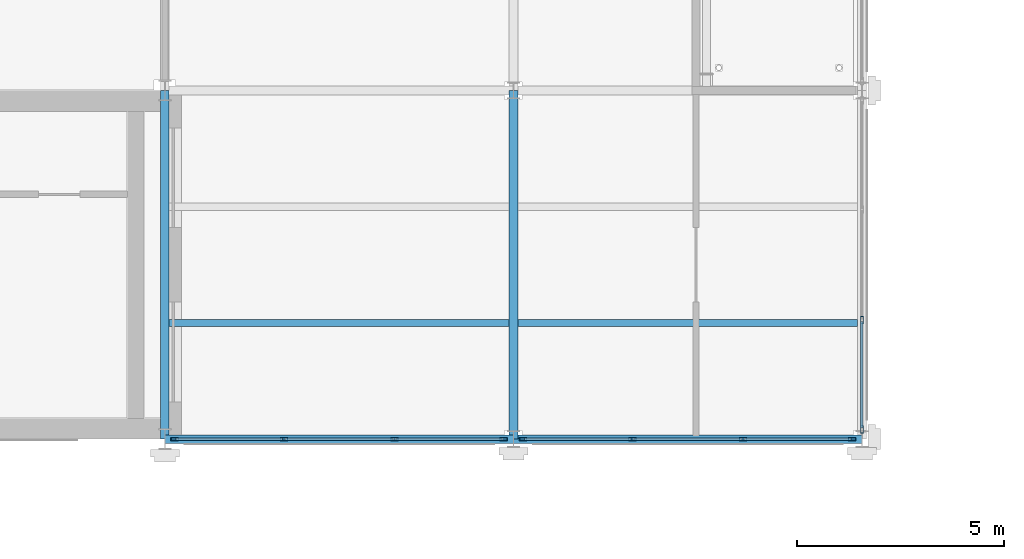
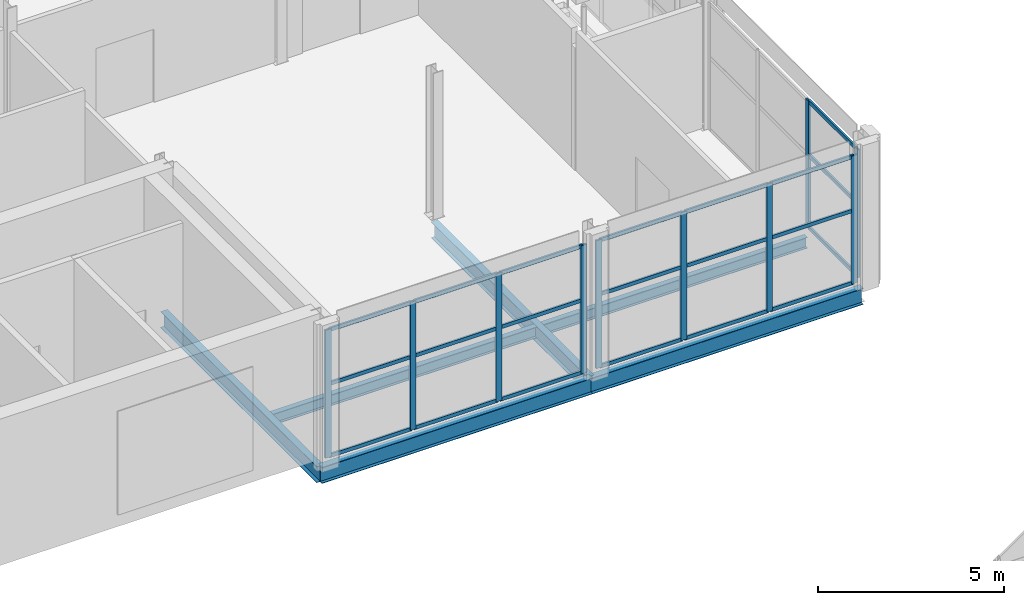
# One storey, part 120 of 167: 31 members, 6 beams, 3 elements without a shape of their own.
"""IFC4 building model written with IfcOpenShell, lengths in metres."""

from ifc_helpers import new_model, si_unit, direction, frame, origin, origin_2d, place, context, subcontext, project, spatial, hollow_rectangle, i_section, extrude, material, material_profile, profile_set, type_object, element, aggregate, save


model = new_model("IFC4")

# Units and contexts
model_context = context("Model", 3, precision=1e-05, world=origin(), true_north=direction((0.0, 1.0)))
body_context = subcontext(model_context, "Body", "Model", "MODEL_VIEW")
ifc_project = project(units=[si_unit("LENGTHUNIT", "METRE"), si_unit("AREAUNIT", "SQUARE_METRE"), si_unit("VOLUMEUNIT", "CUBIC_METRE"), si_unit("PLANEANGLEUNIT", "RADIAN"), si_unit("MASSUNIT", "GRAM", prefix="KILO")], contexts=[model_context])

# Site, building, storey
site_placement = place(None, origin())
site = spatial("IfcSite", under=ifc_project, at=site_placement, CompositionType="ELEMENT")
building_placement = place(site_placement, origin())
building = spatial("IfcBuilding", under=site, at=building_placement, Name="Catenary Quay Ferry Terminal", CompositionType="ELEMENT")
storey_placement = place(building_placement, frame((0.0, 0.0, 6.0)))
storey = spatial("IfcBuildingStorey", under=building, at=storey_placement, Name="L01", CompositionType="ELEMENT", Elevation=6.0)

# Beams
ifc_material_1 = material(Name="Steel S355", Category="steel")
ifc_material_profile_1 = material_profile(ifc_material_1, i_section(OverallWidth=0.208740234375, OverallDepth=0.5283203125, WebThickness=0.009521484375, FlangeThickness=0.01318359375, at=origin_2d()), Name="UB 533x210x82")
ifc_profile_set_1 = profile_set([ifc_material_profile_1], Name="Steel S355")
beam_type_1 = type_object("IfcBeamType", Name="B5 UB 533x210x82", PredefinedType="BEAM", material=ifc_profile_set_1)
beam_1_placement = place(storey_placement, frame((50.39990234375, 159.60009765625, -0.464111328125), z_axis=(1.0, 0.0, 0.0), x_axis=(0.0, 1.0, 0.0)))
element("IfcBeam", 1, at=beam_1_placement, inside=storey, type_object=beam_type_1, Name="Beam B5-001", PredefinedType="BEAM", context=body_context, shape_type="SweptSolid", body=[
    extrude(i_section(OverallWidth=0.208740234375, OverallDepth=0.5283203125, WebThickness=0.009521484375, FlangeThickness=0.01318359375, at=origin_2d()), origin(), (0.0, 0.0, 1.0), 8.400146484375),
])
for number, where, z_axis, x_axis, name in (
    (2, (58.800048828125, 159.60009765625, -0.464111328125), (1.0, 0.0, 0.0), (0.0, 1.0, 0.0), "Beam B5-002"),
    (3, (50.39990234375, 159.60009765625, -0.464111328125), (0.0, 1.0, 0.0), (-1.0, 0.0, 0.0), "Beam B5-038"),
    (4, (58.800048828125, 159.60009765625, -0.464111328125), (0.0, 1.0, 0.0), (-1.0, 0.0, 0.0), "Beam B5-044"),
):
    element("IfcBeam", number, at=place(storey_placement, frame(where, z_axis=z_axis, x_axis=x_axis)), inside=storey, type_object=beam_type_1, Name=name, PredefinedType="BEAM", context=body_context, shape_type="SweptSolid", body=[
        extrude(i_section(OverallWidth=0.208740234375, OverallDepth=0.5283203125, WebThickness=0.009521484375, FlangeThickness=0.01318359375, at=origin_2d()), origin(), (0.0, 0.0, 1.0), 8.39990234375),
    ])
ifc_material_2 = material(Name="Steel S355", Category="steel")
ifc_material_profile_2 = material_profile(ifc_material_2, i_section(OverallWidth=0.169921875, OverallDepth=0.360107421875, WebThickness=0.008056640625, FlangeThickness=0.0126953125, at=origin_2d()), Name="IPE 360")
ifc_profile_set_2 = profile_set([ifc_material_profile_2], Name="Steel S355")
beam_type_2 = type_object("IfcBeamType", Name="B7 IPE 360", PredefinedType="BEAM", material=ifc_profile_set_2)
beam_2_placement = place(storey_placement, frame((50.50390625, 162.39990234375, -0.3798828125), z_axis=(1.0, 0.0, 0.0), x_axis=(0.0, 1.0, 0.0)))
element("IfcBeam", 5, at=beam_2_placement, inside=storey, type_object=beam_type_2, Name="Beam B7-025", PredefinedType="BEAM", context=body_context, shape_type="SweptSolid", body=[
    extrude(i_section(OverallWidth=0.169921875, OverallDepth=0.360107421875, WebThickness=0.008056640625, FlangeThickness=0.0126953125, at=origin_2d()), origin(), (0.0, 0.0, 1.0), 8.192138671875),
])
beam_3_placement = place(storey_placement, frame((58.904052734375, 162.39990234375, -0.3798828125), z_axis=(1.0, 0.0, 0.0), x_axis=(0.0, 1.0, 0.0)))
element("IfcBeam", 6, at=beam_3_placement, inside=storey, type_object=beam_type_2, Name="Beam B7-026", PredefinedType="BEAM", context=body_context, shape_type="SweptSolid", body=[
    extrude(i_section(OverallWidth=0.169921875, OverallDepth=0.360107421875, WebThickness=0.008056640625, FlangeThickness=0.0126953125, at=origin_2d()), origin(), (0.0, 0.0, 1.0), 8.19189453125),
])

# Curtain wall, members
ifc_material_3 = material(Name="Aluminium and glass", Category="aluminium")
curtain_wall_type = type_object("IfcCurtainWallType", Name="CWW2", PredefinedType="NOTDEFINED", material=ifc_material_3)
curtain_wall_1_placement = place(storey_placement, origin())
curtain_wall_1 = element("IfcCurtainWall", 7, at=curtain_wall_1_placement, inside=storey, type_object=curtain_wall_type, Name="Wing curtain wall CW116", PredefinedType="NOTDEFINED")
ifc_material_4 = material(Name="Aluminium", Category="aluminium")
ifc_material_profile_3 = material_profile(ifc_material_4, hollow_rectangle(XDim=0.070068359375, YDim=0.179931640625, WallThickness=0.006103515625, at=origin_2d()), Name="MU3")
ifc_profile_set_3 = profile_set([ifc_material_profile_3], Name="Aluminium")
member_type_1 = type_object("IfcMemberType", Name="MU3", PredefinedType="MULLION", material=ifc_profile_set_3)
member_1_placement = place(storey_placement, frame((67.199951171875, 159.8349609375, 0.0), z_axis=(0.0, 0.0, 1.0), x_axis=(-1.0, 0.0, 0.0)))
member_1 = element("IfcMember", 8, at=member_1_placement, type_object=member_type_1, Name="CW116 mullion 1", PredefinedType="MULLION", context=body_context, shape_type="SweptSolid", body=[
    extrude(hollow_rectangle(XDim=0.070068359375, YDim=0.179931640625, WallThickness=0.006103515625, at=origin_2d()), origin(), (0.0, 0.0, 1.0), 4.199951171875),
])
member_2_placement = place(storey_placement, frame((67.199951171875, 162.466552734375, 0.0), z_axis=(0.0, 0.0, 1.0), x_axis=(-1.0, 0.0, 0.0)))
member_2 = element("IfcMember", 9, at=member_2_placement, type_object=member_type_1, Name="CW116 mullion 2", PredefinedType="MULLION", context=body_context, shape_type="SweptSolid", body=[
    extrude(hollow_rectangle(XDim=0.070068359375, YDim=0.179931640625, WallThickness=0.006103515625, at=origin_2d()), origin(), (0.0, 0.0, 1.0), 4.199951171875),
])

curtain_wall_2_placement = place(storey_placement, origin())
curtain_wall_2 = element("IfcCurtainWall", 10, at=curtain_wall_2_placement, inside=storey, type_object=curtain_wall_type, Name="Wing curtain wall CW128", PredefinedType="NOTDEFINED")
member_3_placement = place(storey_placement, frame((50.635009765625, 159.60009765625, 0.0), z_axis=(0.0, 0.0, 1.0), x_axis=(0.0, 1.0, 0.0)))
member_3 = element("IfcMember", 11, at=member_3_placement, type_object=member_type_1, Name="CW128 mullion 1", PredefinedType="MULLION", context=body_context, shape_type="SweptSolid", body=[
    extrude(hollow_rectangle(XDim=0.070068359375, YDim=0.179931640625, WallThickness=0.006103515625, at=origin_2d()), origin(), (0.0, 0.0, 1.0), 4.199951171875),
])
member_4_placement = place(storey_placement, frame((53.2666015625, 159.60009765625, 0.0), z_axis=(0.0, 0.0, 1.0), x_axis=(0.0, 1.0, 0.0)))
member_4 = element("IfcMember", 12, at=member_4_placement, type_object=member_type_1, Name="CW128 mullion 2", PredefinedType="MULLION", context=body_context, shape_type="SweptSolid", body=[
    extrude(hollow_rectangle(XDim=0.070068359375, YDim=0.179931640625, WallThickness=0.006103515625, at=origin_2d()), origin(), (0.0, 0.0, 1.0), 4.199951171875),
])
member_5_placement = place(storey_placement, frame((55.933349609375, 159.60009765625, 0.0), z_axis=(0.0, 0.0, 1.0), x_axis=(0.0, 1.0, 0.0)))
member_5 = element("IfcMember", 13, at=member_5_placement, type_object=member_type_1, Name="CW128 mullion 3", PredefinedType="MULLION", context=body_context, shape_type="SweptSolid", body=[
    extrude(hollow_rectangle(XDim=0.070068359375, YDim=0.179931640625, WallThickness=0.006103515625, at=origin_2d()), origin(), (0.0, 0.0, 1.0), 4.199951171875),
])
member_6_placement = place(storey_placement, frame((58.56494140625, 159.60009765625, 0.0), z_axis=(0.0, 0.0, 1.0), x_axis=(0.0, 1.0, 0.0)))
member_6 = element("IfcMember", 14, at=member_6_placement, type_object=member_type_1, Name="CW128 mullion 4", PredefinedType="MULLION", context=body_context, shape_type="SweptSolid", body=[
    extrude(hollow_rectangle(XDim=0.070068359375, YDim=0.179931640625, WallThickness=0.006103515625, at=origin_2d()), origin(), (0.0, 0.0, 1.0), 4.199951171875),
])

curtain_wall_3_placement = place(storey_placement, origin())
curtain_wall_3 = element("IfcCurtainWall", 15, at=curtain_wall_3_placement, inside=storey, type_object=curtain_wall_type, Name="Wing curtain wall CW129", PredefinedType="NOTDEFINED")
member_7_placement = place(storey_placement, frame((59.034912109375, 159.60009765625, 0.0), z_axis=(0.0, 0.0, 1.0), x_axis=(0.0, 1.0, 0.0)))
member_7 = element("IfcMember", 16, at=member_7_placement, type_object=member_type_1, Name="CW129 mullion 1", PredefinedType="MULLION", context=body_context, shape_type="SweptSolid", body=[
    extrude(hollow_rectangle(XDim=0.070068359375, YDim=0.179931640625, WallThickness=0.006103515625, at=origin_2d()), origin(), (0.0, 0.0, 1.0), 4.199951171875),
])
member_8_placement = place(storey_placement, frame((61.666748046875, 159.60009765625, 0.0), z_axis=(0.0, 0.0, 1.0), x_axis=(0.0, 1.0, 0.0)))
member_8 = element("IfcMember", 17, at=member_8_placement, type_object=member_type_1, Name="CW129 mullion 2", PredefinedType="MULLION", context=body_context, shape_type="SweptSolid", body=[
    extrude(hollow_rectangle(XDim=0.070068359375, YDim=0.179931640625, WallThickness=0.006103515625, at=origin_2d()), origin(), (0.0, 0.0, 1.0), 4.199951171875),
])
member_9_placement = place(storey_placement, frame((64.333251953125, 159.60009765625, 0.0), z_axis=(0.0, 0.0, 1.0), x_axis=(0.0, 1.0, 0.0)))
member_9 = element("IfcMember", 18, at=member_9_placement, type_object=member_type_1, Name="CW129 mullion 3", PredefinedType="MULLION", context=body_context, shape_type="SweptSolid", body=[
    extrude(hollow_rectangle(XDim=0.070068359375, YDim=0.179931640625, WallThickness=0.006103515625, at=origin_2d()), origin(), (0.0, 0.0, 1.0), 4.199951171875),
])
member_10_placement = place(storey_placement, frame((66.965087890625, 159.60009765625, 0.0), z_axis=(0.0, 0.0, 1.0), x_axis=(0.0, 1.0, 0.0)))
member_10 = element("IfcMember", 19, at=member_10_placement, type_object=member_type_1, Name="CW129 mullion 4", PredefinedType="MULLION", context=body_context, shape_type="SweptSolid", body=[
    extrude(hollow_rectangle(XDim=0.070068359375, YDim=0.179931640625, WallThickness=0.006103515625, at=origin_2d()), origin(), (0.0, 0.0, 1.0), 4.199951171875),
])

# Member
ifc_material_5 = material(Name="Aluminium", Category="aluminium")
ifc_material_profile_4 = material_profile(ifc_material_5, hollow_rectangle(XDim=0.06005859375, YDim=0.1201171875, WallThickness=0.0048828125, at=origin_2d()), Name="TR3")
ifc_profile_set_4 = profile_set([ifc_material_profile_4], Name="Aluminium")
member_type_2 = type_object("IfcMemberType", Name="TR3", PredefinedType="USERDEFINED", material=ifc_profile_set_4)
member_11_placement = place(storey_placement, frame((67.199951171875, 159.8701171875, 0.030029296875), z_axis=(0.0, 1.0, 0.0), x_axis=(-1.0, 0.0, 0.0)))
member_11 = element("IfcMember", 20, at=member_11_placement, type_object=member_type_2, Name="CW116 transom 1.1", ObjectType="TRANSOM", PredefinedType="USERDEFINED", context=body_context, shape_type="SweptSolid", body=[
    extrude(hollow_rectangle(XDim=0.06005859375, YDim=0.1201171875, WallThickness=0.0048828125, at=origin_2d()), origin(), (0.0, 0.0, 1.0), 2.5615234375),
])

member_12_placement = place(storey_placement, frame((67.199951171875, 159.8701171875, 2.39990234375), z_axis=(0.0, 1.0, 0.0), x_axis=(-1.0, 0.0, 0.0)))
member_12 = element("IfcMember", 21, at=member_12_placement, type_object=member_type_2, Name="CW116 transom 1.2", ObjectType="TRANSOM", PredefinedType="USERDEFINED", context=body_context, shape_type="SweptSolid", body=[
    extrude(hollow_rectangle(XDim=0.06005859375, YDim=0.1201171875, WallThickness=0.0048828125, at=origin_2d()), origin(), (0.0, 0.0, 1.0), 2.5615234375),
])

member_13_placement = place(storey_placement, frame((67.199951171875, 159.8701171875, 4.169921875), z_axis=(0.0, 1.0, 0.0), x_axis=(-1.0, 0.0, 0.0)))
member_13 = element("IfcMember", 22, at=member_13_placement, type_object=member_type_2, Name="CW116 transom 1.3", ObjectType="TRANSOM", PredefinedType="USERDEFINED", context=body_context, shape_type="SweptSolid", body=[
    extrude(hollow_rectangle(XDim=0.06005859375, YDim=0.1201171875, WallThickness=0.0048828125, at=origin_2d()), origin(), (0.0, 0.0, 1.0), 2.5615234375),
])

aggregate(curtain_wall_1, [member_1, member_2, member_11, member_12, member_13])

member_14_placement = place(storey_placement, frame((50.669921875, 159.60009765625, 0.030029296875), z_axis=(1.0, 0.0, 0.0), x_axis=(0.0, 1.0, 0.0)))
member_14 = element("IfcMember", 23, at=member_14_placement, type_object=member_type_2, Name="CW128 transom 1.1", ObjectType="TRANSOM", PredefinedType="USERDEFINED", context=body_context, shape_type="SweptSolid", body=[
    extrude(hollow_rectangle(XDim=0.06005859375, YDim=0.1201171875, WallThickness=0.0048828125, at=origin_2d()), origin(), (0.0, 0.0, 1.0), 2.561767578125),
])

member_15_placement = place(storey_placement, frame((50.669921875, 159.60009765625, 2.39990234375), z_axis=(1.0, 0.0, 0.0), x_axis=(0.0, 1.0, 0.0)))
member_15 = element("IfcMember", 24, at=member_15_placement, type_object=member_type_2, Name="CW128 transom 1.2", ObjectType="TRANSOM", PredefinedType="USERDEFINED", context=body_context, shape_type="SweptSolid", body=[
    extrude(hollow_rectangle(XDim=0.06005859375, YDim=0.1201171875, WallThickness=0.0048828125, at=origin_2d()), origin(), (0.0, 0.0, 1.0), 2.561767578125),
])

member_16_placement = place(storey_placement, frame((50.669921875, 159.60009765625, 4.169921875), z_axis=(1.0, 0.0, 0.0), x_axis=(0.0, 1.0, 0.0)))
member_16 = element("IfcMember", 25, at=member_16_placement, type_object=member_type_2, Name="CW128 transom 1.3", ObjectType="TRANSOM", PredefinedType="USERDEFINED", context=body_context, shape_type="SweptSolid", body=[
    extrude(hollow_rectangle(XDim=0.06005859375, YDim=0.1201171875, WallThickness=0.0048828125, at=origin_2d()), origin(), (0.0, 0.0, 1.0), 2.561767578125),
])

member_17_placement = place(storey_placement, frame((53.3017578125, 159.60009765625, 0.030029296875), z_axis=(1.0, 0.0, 0.0), x_axis=(0.0, 1.0, 0.0)))
member_17 = element("IfcMember", 26, at=member_17_placement, type_object=member_type_2, Name="CW128 transom 2.1", ObjectType="TRANSOM", PredefinedType="USERDEFINED", context=body_context, shape_type="SweptSolid", body=[
    extrude(hollow_rectangle(XDim=0.06005859375, YDim=0.1201171875, WallThickness=0.0048828125, at=origin_2d()), origin(), (0.0, 0.0, 1.0), 2.5966796875),
])

member_18_placement = place(storey_placement, frame((53.3017578125, 159.60009765625, 2.39990234375), z_axis=(1.0, 0.0, 0.0), x_axis=(0.0, 1.0, 0.0)))
member_18 = element("IfcMember", 27, at=member_18_placement, type_object=member_type_2, Name="CW128 transom 2.2", ObjectType="TRANSOM", PredefinedType="USERDEFINED", context=body_context, shape_type="SweptSolid", body=[
    extrude(hollow_rectangle(XDim=0.06005859375, YDim=0.1201171875, WallThickness=0.0048828125, at=origin_2d()), origin(), (0.0, 0.0, 1.0), 2.5966796875),
])

member_19_placement = place(storey_placement, frame((53.3017578125, 159.60009765625, 4.169921875), z_axis=(1.0, 0.0, 0.0), x_axis=(0.0, 1.0, 0.0)))
member_19 = element("IfcMember", 28, at=member_19_placement, type_object=member_type_2, Name="CW128 transom 2.3", ObjectType="TRANSOM", PredefinedType="USERDEFINED", context=body_context, shape_type="SweptSolid", body=[
    extrude(hollow_rectangle(XDim=0.06005859375, YDim=0.1201171875, WallThickness=0.0048828125, at=origin_2d()), origin(), (0.0, 0.0, 1.0), 2.5966796875),
])

member_20_placement = place(storey_placement, frame((55.96826171875, 159.60009765625, 0.030029296875), z_axis=(1.0, 0.0, 0.0), x_axis=(0.0, 1.0, 0.0)))
member_20 = element("IfcMember", 29, at=member_20_placement, type_object=member_type_2, Name="CW128 transom 3.1", ObjectType="TRANSOM", PredefinedType="USERDEFINED", context=body_context, shape_type="SweptSolid", body=[
    extrude(hollow_rectangle(XDim=0.06005859375, YDim=0.1201171875, WallThickness=0.0048828125, at=origin_2d()), origin(), (0.0, 0.0, 1.0), 2.561767578125),
])

member_21_placement = place(storey_placement, frame((55.96826171875, 159.60009765625, 2.39990234375), z_axis=(1.0, 0.0, 0.0), x_axis=(0.0, 1.0, 0.0)))
member_21 = element("IfcMember", 30, at=member_21_placement, type_object=member_type_2, Name="CW128 transom 3.2", ObjectType="TRANSOM", PredefinedType="USERDEFINED", context=body_context, shape_type="SweptSolid", body=[
    extrude(hollow_rectangle(XDim=0.06005859375, YDim=0.1201171875, WallThickness=0.0048828125, at=origin_2d()), origin(), (0.0, 0.0, 1.0), 2.561767578125),
])

member_22_placement = place(storey_placement, frame((55.96826171875, 159.60009765625, 4.169921875), z_axis=(1.0, 0.0, 0.0), x_axis=(0.0, 1.0, 0.0)))
member_22 = element("IfcMember", 31, at=member_22_placement, type_object=member_type_2, Name="CW128 transom 3.3", ObjectType="TRANSOM", PredefinedType="USERDEFINED", context=body_context, shape_type="SweptSolid", body=[
    extrude(hollow_rectangle(XDim=0.06005859375, YDim=0.1201171875, WallThickness=0.0048828125, at=origin_2d()), origin(), (0.0, 0.0, 1.0), 2.561767578125),
])

aggregate(curtain_wall_2, [member_3, member_4, member_5, member_6, member_14, member_15, member_16, member_17, member_18, member_19, member_20, member_21, member_22])

member_23_placement = place(storey_placement, frame((59.070068359375, 159.60009765625, 0.030029296875), z_axis=(1.0, 0.0, 0.0), x_axis=(0.0, 1.0, 0.0)))
member_23 = element("IfcMember", 32, at=member_23_placement, type_object=member_type_2, Name="CW129 transom 1.1", ObjectType="TRANSOM", PredefinedType="USERDEFINED", context=body_context, shape_type="SweptSolid", body=[
    extrude(hollow_rectangle(XDim=0.06005859375, YDim=0.1201171875, WallThickness=0.0048828125, at=origin_2d()), origin(), (0.0, 0.0, 1.0), 2.5615234375),
])

member_24_placement = place(storey_placement, frame((59.070068359375, 159.60009765625, 2.39990234375), z_axis=(1.0, 0.0, 0.0), x_axis=(0.0, 1.0, 0.0)))
member_24 = element("IfcMember", 33, at=member_24_placement, type_object=member_type_2, Name="CW129 transom 1.2", ObjectType="TRANSOM", PredefinedType="USERDEFINED", context=body_context, shape_type="SweptSolid", body=[
    extrude(hollow_rectangle(XDim=0.06005859375, YDim=0.1201171875, WallThickness=0.0048828125, at=origin_2d()), origin(), (0.0, 0.0, 1.0), 2.5615234375),
])

member_25_placement = place(storey_placement, frame((59.070068359375, 159.60009765625, 4.169921875), z_axis=(1.0, 0.0, 0.0), x_axis=(0.0, 1.0, 0.0)))
member_25 = element("IfcMember", 34, at=member_25_placement, type_object=member_type_2, Name="CW129 transom 1.3", ObjectType="TRANSOM", PredefinedType="USERDEFINED", context=body_context, shape_type="SweptSolid", body=[
    extrude(hollow_rectangle(XDim=0.06005859375, YDim=0.1201171875, WallThickness=0.0048828125, at=origin_2d()), origin(), (0.0, 0.0, 1.0), 2.5615234375),
])

member_26_placement = place(storey_placement, frame((61.70166015625, 159.60009765625, 0.030029296875), z_axis=(1.0, 0.0, 0.0), x_axis=(0.0, 1.0, 0.0)))
member_26 = element("IfcMember", 35, at=member_26_placement, type_object=member_type_2, Name="CW129 transom 2.1", ObjectType="TRANSOM", PredefinedType="USERDEFINED", context=body_context, shape_type="SweptSolid", body=[
    extrude(hollow_rectangle(XDim=0.06005859375, YDim=0.1201171875, WallThickness=0.0048828125, at=origin_2d()), origin(), (0.0, 0.0, 1.0), 2.5966796875),
])

member_27_placement = place(storey_placement, frame((61.70166015625, 159.60009765625, 2.39990234375), z_axis=(1.0, 0.0, 0.0), x_axis=(0.0, 1.0, 0.0)))
member_27 = element("IfcMember", 36, at=member_27_placement, type_object=member_type_2, Name="CW129 transom 2.2", ObjectType="TRANSOM", PredefinedType="USERDEFINED", context=body_context, shape_type="SweptSolid", body=[
    extrude(hollow_rectangle(XDim=0.06005859375, YDim=0.1201171875, WallThickness=0.0048828125, at=origin_2d()), origin(), (0.0, 0.0, 1.0), 2.5966796875),
])

member_28_placement = place(storey_placement, frame((61.70166015625, 159.60009765625, 4.169921875), z_axis=(1.0, 0.0, 0.0), x_axis=(0.0, 1.0, 0.0)))
member_28 = element("IfcMember", 37, at=member_28_placement, type_object=member_type_2, Name="CW129 transom 2.3", ObjectType="TRANSOM", PredefinedType="USERDEFINED", context=body_context, shape_type="SweptSolid", body=[
    extrude(hollow_rectangle(XDim=0.06005859375, YDim=0.1201171875, WallThickness=0.0048828125, at=origin_2d()), origin(), (0.0, 0.0, 1.0), 2.5966796875),
])

member_29_placement = place(storey_placement, frame((64.368408203125, 159.60009765625, 0.030029296875), z_axis=(1.0, 0.0, 0.0), x_axis=(0.0, 1.0, 0.0)))
member_29 = element("IfcMember", 38, at=member_29_placement, type_object=member_type_2, Name="CW129 transom 3.1", ObjectType="TRANSOM", PredefinedType="USERDEFINED", context=body_context, shape_type="SweptSolid", body=[
    extrude(hollow_rectangle(XDim=0.06005859375, YDim=0.1201171875, WallThickness=0.0048828125, at=origin_2d()), origin(), (0.0, 0.0, 1.0), 2.5615234375),
])

member_30_placement = place(storey_placement, frame((64.368408203125, 159.60009765625, 2.39990234375), z_axis=(1.0, 0.0, 0.0), x_axis=(0.0, 1.0, 0.0)))
member_30 = element("IfcMember", 39, at=member_30_placement, type_object=member_type_2, Name="CW129 transom 3.2", ObjectType="TRANSOM", PredefinedType="USERDEFINED", context=body_context, shape_type="SweptSolid", body=[
    extrude(hollow_rectangle(XDim=0.06005859375, YDim=0.1201171875, WallThickness=0.0048828125, at=origin_2d()), origin(), (0.0, 0.0, 1.0), 2.5615234375),
])

member_31_placement = place(storey_placement, frame((64.368408203125, 159.60009765625, 4.169921875), z_axis=(1.0, 0.0, 0.0), x_axis=(0.0, 1.0, 0.0)))
member_31 = element("IfcMember", 40, at=member_31_placement, type_object=member_type_2, Name="CW129 transom 3.3", ObjectType="TRANSOM", PredefinedType="USERDEFINED", context=body_context, shape_type="SweptSolid", body=[
    extrude(hollow_rectangle(XDim=0.06005859375, YDim=0.1201171875, WallThickness=0.0048828125, at=origin_2d()), origin(), (0.0, 0.0, 1.0), 2.5615234375),
])

aggregate(curtain_wall_3, [member_7, member_8, member_9, member_10, member_23, member_24, member_25, member_26, member_27, member_28, member_29, member_30, member_31])

save(model, "model.ifc")
